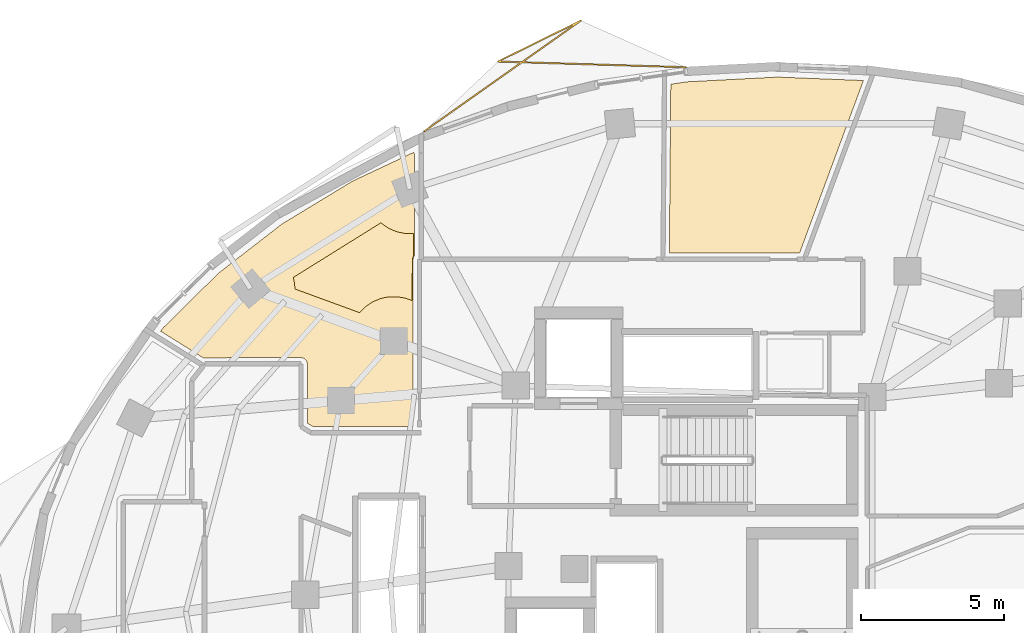
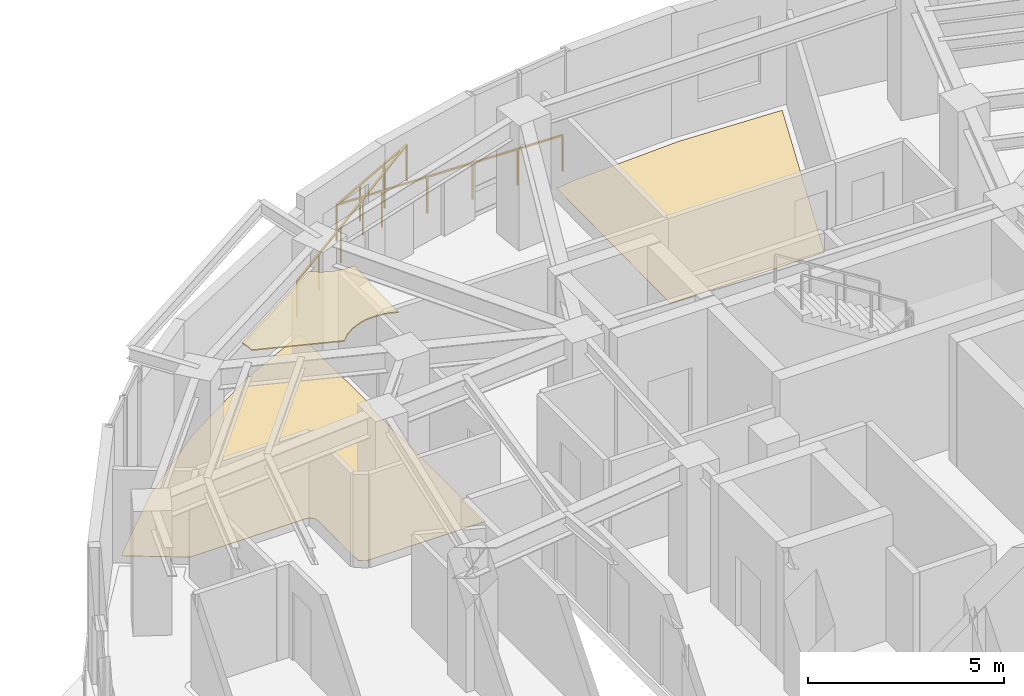
# One storey, part 13 of 13: 3 coverings, 1 railing.
"""IFC4 building model written with IfcOpenShell, lengths in metres."""

from ifc_helpers import new_model, si_unit, direction, frame, origin, origin_2d, place, context, subcontext, project, spatial, polyline, rectangle, outline, extrude, material, layer, layer_set, type_object, element, save


model = new_model("IFC4")

# Units and contexts
model_context = context("Model", 3, precision=1e-05, world=origin(), true_north=direction((0.0, 1.0)))
body_context = subcontext(model_context, "Body", "Model", "MODEL_VIEW")
ifc_project = project(units=[si_unit("LENGTHUNIT", "METRE"), si_unit("AREAUNIT", "SQUARE_METRE"), si_unit("VOLUMEUNIT", "CUBIC_METRE"), si_unit("PLANEANGLEUNIT", "RADIAN"), si_unit("MASSUNIT", "GRAM", prefix="KILO")], contexts=[model_context])

# Site, building, storey
site_placement = place(None, origin())
site = spatial("IfcSite", under=ifc_project, at=site_placement, CompositionType="ELEMENT")
building_placement = place(site_placement, origin())
building = spatial("IfcBuilding", under=site, at=building_placement, Name="Korentha Bioscience Tower", CompositionType="ELEMENT")
storey_placement = place(building_placement, frame((0.0, 0.0, 187.800048828125)))
storey = spatial("IfcBuildingStorey", under=building, at=storey_placement, Name="L43", CompositionType="ELEMENT", Elevation=187.800048828125)

# Railing
ifc_material_1 = material(Name="Laminated Tempered Safety Glass", Category="glass")
railing_type = type_object("IfcRailingType", Name="Laminated Glass Balcony Guardrail 1150", PredefinedType="BALUSTRADE", material=ifc_material_1)
railing_placement = place(storey_placement, frame((31.038330078125, 47.364013671875, 0.0)))
element("IfcRailing", 1, at=railing_placement, inside=storey, type_object=railing_type, Name="L43 Balcony Guardrail 01", PredefinedType="BALUSTRADE", context=body_context, shape_type="SweptSolid", body=[
    extrude(rectangle(XDim=0.048095703125, YDim=0.048095703125, at=origin_2d()), frame((0.0, 0.0, 1.1259765625), z_axis=(-0.999542032449, 0.030260954509, 0.0), x_axis=(-0.030260954509, -0.999542032449, 0.0)), (0.0, 0.0, 1.0), 6.55908203125),
    extrude(rectangle(XDim=0.048095703125, YDim=0.048095703125, at=origin_2d()), frame((-6.55615234375, 0.198486328125, 1.1259765625), z_axis=(0.896581526608, 0.442878726229, 0.0), x_axis=(-0.442878726229, 0.896581526608, 0.0)), (0.0, 0.0, 1.0), 3.225341796875),
    extrude(rectangle(XDim=0.048095703125, YDim=0.048095703125, at=origin_2d()), frame((-3.664306640625, 1.626953125, 1.1259765625), z_axis=(-0.816717092506, -0.577038292325, 0.0), x_axis=(0.577038292325, -0.816717092506, 0.0)), (0.0, 0.0, 1.0), 6.693359375),
    extrude(rectangle(XDim=0.0419921875, YDim=0.0419921875, at=origin_2d()), origin(), (0.0, 0.0, 1.0), 1.101806640625),
    extrude(rectangle(XDim=0.0419921875, YDim=0.0419921875, at=origin_2d()), frame((-1.311279296875, 0.039794921875, 0.0)), (0.0, 0.0, 1.0), 1.101806640625),
    extrude(rectangle(XDim=0.0419921875, YDim=0.0419921875, at=origin_2d()), frame((-2.62255859375, 0.079345703125, 0.0)), (0.0, 0.0, 1.0), 1.101806640625),
    extrude(rectangle(XDim=0.0419921875, YDim=0.0419921875, at=origin_2d()), frame((-3.93359375, 0.119140625, 0.0)), (0.0, 0.0, 1.0), 1.101806640625),
    extrude(rectangle(XDim=0.0419921875, YDim=0.0419921875, at=origin_2d()), frame((-5.244873046875, 0.15869140625, 0.0)), (0.0, 0.0, 1.0), 1.101806640625),
    extrude(rectangle(XDim=0.0419921875, YDim=0.0419921875, at=origin_2d()), frame((-6.55615234375, 0.198486328125, 0.0)), (0.0, 0.0, 1.0), 1.101806640625),
    extrude(rectangle(XDim=0.0419921875, YDim=0.0419921875, at=origin_2d()), frame((-5.59228515625, 0.674560546875, 0.0)), (0.0, 0.0, 1.0), 1.101806640625),
    extrude(rectangle(XDim=0.0419921875, YDim=0.0419921875, at=origin_2d()), frame((-4.628173828125, 1.15087890625, 0.0)), (0.0, 0.0, 1.0), 1.101806640625),
    extrude(rectangle(XDim=0.0419921875, YDim=0.0419921875, at=origin_2d()), frame((-3.664306640625, 1.626953125, 0.0)), (0.0, 0.0, 1.0), 1.101806640625),
    extrude(rectangle(XDim=0.0419921875, YDim=0.0419921875, at=origin_2d()), frame((-4.757568359375, 0.8544921875, 0.0)), (0.0, 0.0, 1.0), 1.101806640625),
    extrude(rectangle(XDim=0.0419921875, YDim=0.0419921875, at=origin_2d()), frame((-5.850830078125, 0.08203125, 0.0)), (0.0, 0.0, 1.0), 1.101806640625),
    extrude(rectangle(XDim=0.0419921875, YDim=0.0419921875, at=origin_2d()), frame((-6.9443359375, -0.6904296875, 0.0)), (0.0, 0.0, 1.0), 1.101806640625),
    extrude(rectangle(XDim=0.0419921875, YDim=0.0419921875, at=origin_2d()), frame((-8.03759765625, -1.462890625, 0.0)), (0.0, 0.0, 1.0), 1.101806640625),
    extrude(rectangle(XDim=0.0419921875, YDim=0.0419921875, at=origin_2d()), frame((-9.130859375, -2.2353515625, 0.0)), (0.0, 0.0, 1.0), 1.101806640625),
])

# Coverings
ifc_material_2 = material(Name="Antimicrobial Mineral Fibre Board", Category="gypsum")
ifc_layer_1 = layer(ifc_material_2, 0.034912109375, Name="Antimicrobial Mineral Fibre Board")
ifc_layer_set_1 = layer_set([ifc_layer_1], Name="Antimicrobial Mineral Fibre Board (CL-MF35)")
covering_type_1 = type_object("IfcCoveringType", Name="Mineral-Fibre Cleanroom Suspended Ceiling 35", PredefinedType="CEILING", material=ifc_layer_set_1)
covering_1_placement = place(storey_placement, frame((0.0, 0.0, 3.864990234375)))
element("IfcCovering", 2, at=covering_1_placement, inside=storey, type_object=covering_type_1, Name="L43 Automated High-Throughput Assay Lab 09 Acoustic Ceiling", PredefinedType="CEILING", context=body_context, shape_type="SweptSolid", body=[
    extrude(outline(polyline([(21.54150390625, 40.805419921875), (21.490234375, 40.662353515625), (21.489990234375, 39.214111328125), (21.2919921875, 39.291259765625), (20.994140625, 39.350341796875), (20.690185546875, 39.350341796875), (20.539794921875, 39.328125), (20.392333984375, 39.291259765625), (20.111572265625, 39.1748046875), (19.85888671875, 39.006103515625), (19.64990234375, 38.7978515625), (17.393310546875, 39.62353515625), (17.386474609375, 39.788818359375), (17.341552734375, 40.029296875), (20.393310546875, 41.930908203125), (20.6748046875, 41.73583984375), (20.955810546875, 41.619384765625), (21.253662109375, 41.560302734375), (21.5419921875, 41.5595703125), (21.54150390625, 40.805419921875)])), origin(), (0.0, 0.0, 1.0), 0.034912109375),
])
ifc_material_3 = material(Name="Chemical-Resistant Epoxy Resin", Category="polymer")
ifc_layer_2 = layer(ifc_material_3, 0.011962890625, Name="Chemical-Resistant Epoxy Resin")
ifc_layer_set_2 = layer_set([ifc_layer_2], Name="Chemical-Resistant Epoxy Resin (FL-EPX)")
covering_type_2 = type_object("IfcCoveringType", Name="Seamless Epoxy Laboratory Flooring 12", PredefinedType="FLOORING", material=ifc_layer_set_2)
covering_2_placement = place(storey_placement, origin())
element("IfcCovering", 3, at=covering_2_placement, inside=storey, type_object=covering_type_2, Name="L43 Staff Tea and Espresso Break Lounge 07 Floor Finish", PredefinedType="FLOORING", context=body_context, shape_type="SweptSolid", body=[
    extrude(outline(polyline([(37.238525390625, 46.900146484375), (35.012939453125, 40.88330078125), (30.46337890625, 40.880126953125), (30.514892578125, 46.772216796875), (31.088623046875, 46.85595703125), (34.243896484375, 47.02099609375), (37.238525390625, 46.900146484375)])), origin(), (0.0, 0.0, 1.0), 0.011962890625),
])
covering_3_placement = place(storey_placement, origin())
element("IfcCovering", 4, at=covering_3_placement, inside=storey, type_object=covering_type_2, Name="L43 Automated High-Throughput Assay Lab 09 Floor Finish", PredefinedType="FLOORING", context=body_context, shape_type="SweptSolid", body=[
    extrude(outline(polyline([(12.705322265625, 38.15087890625), (12.801025390625, 38.273193359375), (14.72705078125, 40.17578125), (16.94091796875, 41.890625), (19.41064453125, 43.3916015625), (21.541015625, 44.392822265625), (21.572021484375, 44.328125), (21.572021484375, 40.795166015625), (21.53369140625, 40.727783203125), (21.52001953125, 40.64990234375), (21.52001953125, 34.830078125), (18.0087890625, 34.830078125), (17.830078125, 34.941650390625), (17.82958984375, 37.01171875), (17.797119140625, 37.11865234375), (17.71875, 37.197021484375), (17.60009765625, 37.22998046875), (14.193359375, 37.22119140625), (12.705322265625, 38.15087890625)])), origin(), (0.0, 0.0, 1.0), 0.011962890625),
])

save(model, "model.ifc")
